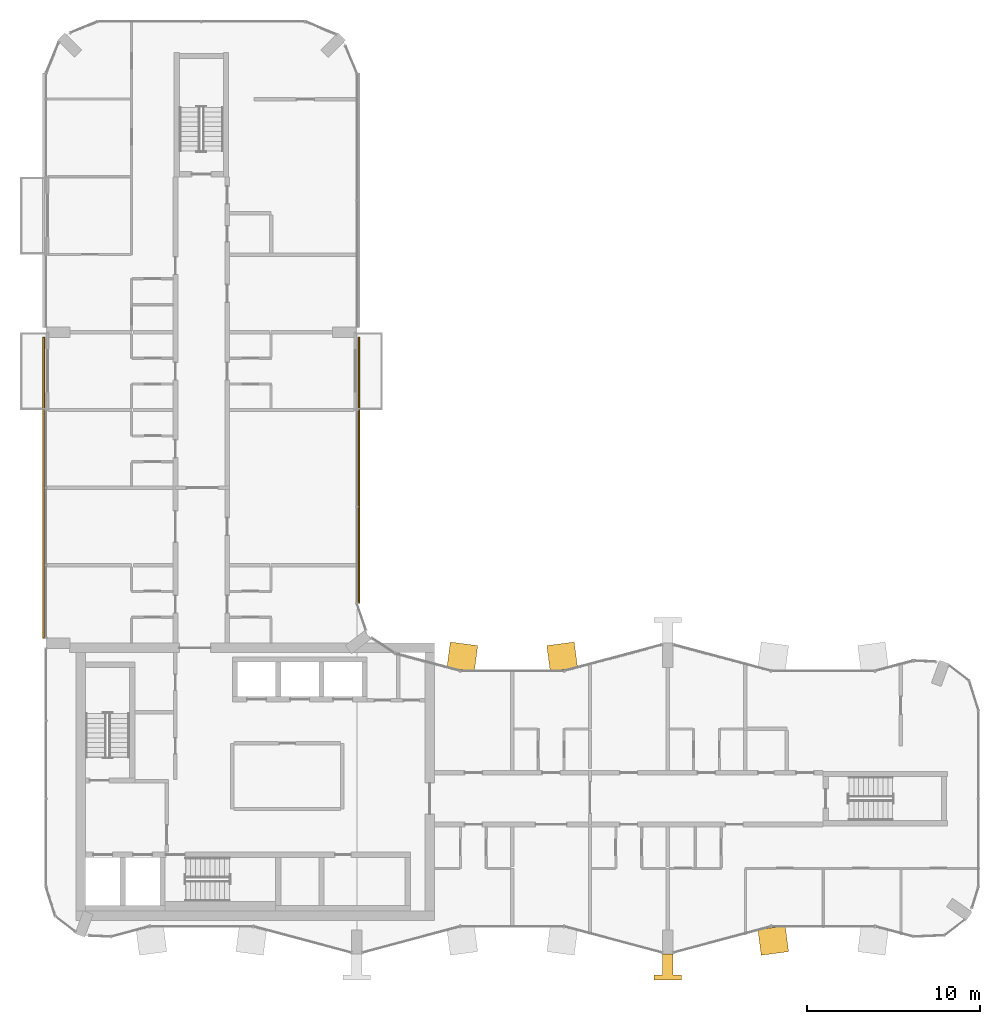
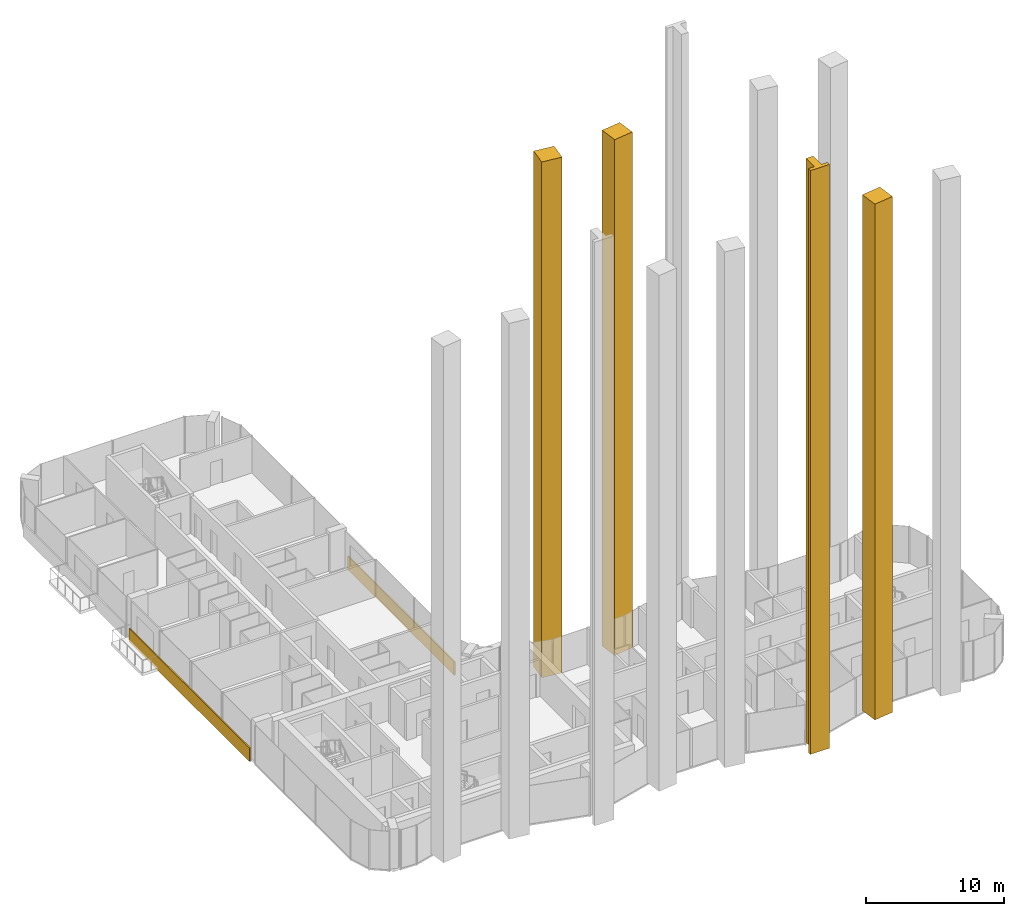
# One storey, part 15 of 17: 6 coverings.
"""IFC4 building model written with IfcOpenShell, lengths in metres."""

import ifcopenshell
import ifcopenshell.guid

model = None  # the IFC model being written
_history = None  # IfcOwnerHistory: only IFC2X3 demands one
_inside = {}  # id of a spatial element -> (the spatial element, [elements in it])
_under = {}  # id of a project, library or spatial element -> (it, [spatial elements below it])
_declared = {}  # id of a project -> (the project, [libraries it declares])
_typed = {}  # id of a type object -> (the type object, [elements of that type])
_made_of = {}  # id of a material, layer set ... -> (it, [elements and type objects made of it])


def new_model(schema):
    """Start an empty IFC model of exactly this schema.

    Asked for "IFC4X3", IfcOpenShell would pick the latest addendum, in which some entities
    have other attributes; the version numbers below select the first issue.
    IFC2X3 requires an IfcOwnerHistory on every rooted entity: one is made here for all.
    """
    global model, _history
    if schema == "IFC4X3":
        model = ifcopenshell.file(schema_version=(4, 3, 0, 0))
    else:
        model = ifcopenshell.file(schema=schema)
    _inside.clear()
    _under.clear()
    _declared.clear()
    _typed.clear()
    _made_of.clear()
    _history = None
    if model.schema == "IFC2X3":
        org = make("IfcOrganization", Name="unknown")
        user = make(
            "IfcPersonAndOrganization",
            ThePerson=make("IfcPerson", FamilyName="unknown"),
            TheOrganization=org,
        )
        app = make(
            "IfcApplication",
            ApplicationDeveloper=org,
            Version="unknown",
            ApplicationFullName="unknown",
            ApplicationIdentifier="unknown",
        )
        _history = make(
            "IfcOwnerHistory",
            OwningUser=user,
            OwningApplication=app,
            ChangeAction="ADDED",
            CreationDate=0,
        )
    return model


def make(cls, **values):
    """One entity of the class cls with the attributes given. An attribute that is None is left unset."""
    return model.create_entity(
        cls, **{name: value for name, value in values.items() if value is not None}
    )


def rooted(cls, **values):
    """An entity with a GlobalId (a new one), such as an element, a storey or a relation."""
    return make(cls, GlobalId=ifcopenshell.guid.new(), OwnerHistory=_history, **values)


def si_unit(unit_type, name, prefix=None):
    """IfcSIUnit, for example si_unit("LENGTHUNIT", "METRE", prefix="MILLI")."""
    return make("IfcSIUnit", UnitType=unit_type, Prefix=prefix, Name=name)


def assignment(units):
    """IfcUnitAssignment: the units of a project."""
    return None if units is None else make("IfcUnitAssignment", Units=units)


def point(xyz):
    """IfcCartesianPoint."""
    return None if xyz is None else make("IfcCartesianPoint", Coordinates=xyz)


def direction(xyz):
    """IfcDirection."""
    return None if xyz is None else make("IfcDirection", DirectionRatios=xyz)


def frame(location, z_axis=None, x_axis=None):
    """IfcAxis2Placement3D, a coordinate frame: its origin and axes. An axis left out is left unset."""
    return make(
        "IfcAxis2Placement3D",
        Location=point(location),
        Axis=direction(z_axis),
        RefDirection=direction(x_axis),
    )


def frame_2d(location, x_axis=None):
    """IfcAxis2Placement2D, a coordinate frame in the plane: its origin and x axis."""
    return make(
        "IfcAxis2Placement2D", Location=point(location), RefDirection=direction(x_axis)
    )


def origin():
    """The frame at (0, 0, 0) with its axes left unset."""
    return frame((0.0, 0.0, 0.0))


def origin_2d():
    """The frame at (0, 0) in the plane with its x axis left unset."""
    return frame_2d((0.0, 0.0))


def place(relative_to, where):
    """IfcLocalPlacement: puts the frame where relative to a parent placement (None: the world)."""
    return make(
        "IfcLocalPlacement", PlacementRelTo=relative_to, RelativePlacement=where
    )


def context(
    kind, dimensions, precision=None, world=None, true_north=None, identifier=None
):
    """IfcGeometricRepresentationContext, for example the 3D "Model" context."""
    return make(
        "IfcGeometricRepresentationContext",
        ContextIdentifier=identifier,
        ContextType=kind,
        CoordinateSpaceDimension=dimensions,
        Precision=precision,
        WorldCoordinateSystem=world,
        TrueNorth=true_north,
    )


def subcontext(parent, identifier, kind, view, scale=None):
    """IfcGeometricRepresentationSubContext, for example "Body" below "Model"."""
    return make(
        "IfcGeometricRepresentationSubContext",
        ContextIdentifier=identifier,
        ContextType=kind,
        ParentContext=parent,
        TargetScale=scale,
        TargetView=view,
    )


def project(units=None, contexts=None):
    """IfcProject with its units and contexts."""
    return rooted(
        "IfcProject",
        Name="project",
        RepresentationContexts=contexts,
        UnitsInContext=assignment(units),
    )


def spatial(cls, under=None, at=None, **own):
    """A site, building, storey or space (cls), placed at a placement, below another one or the project."""
    s = rooted(cls, ObjectPlacement=at, **own)
    if under is not None:
        _under.setdefault(under.id(), (under, []))[1].append(s)
    return s


def polyline(points):
    """IfcPolyline through the points."""
    return make("IfcPolyline", Points=[point(p) for p in points])


def profile(cls, at=None, kind="AREA", **sizes):
    """A parametric profile (cls). Its sizes go by their IFC names, for example OverallWidth=200.0."""
    return make(cls, ProfileType=kind, Position=at, **sizes)


def rectangle(**sizes):
    """IfcRectangleProfileDef."""
    return profile("IfcRectangleProfileDef", **sizes)


def outline(outer, holes=None, kind="AREA"):
    """IfcArbitraryClosedProfileDef: a profile drawn as a closed curve; with holes, ...WithVoids."""
    if holes is None:
        return make("IfcArbitraryClosedProfileDef", ProfileType=kind, OuterCurve=outer)
    return make(
        "IfcArbitraryProfileDefWithVoids",
        ProfileType=kind,
        OuterCurve=outer,
        InnerCurves=holes,
    )


def extrude(swept, where, along, depth):
    """IfcExtrudedAreaSolid: the profile swept, set in the frame where, extruded along a direction by depth."""
    return make(
        "IfcExtrudedAreaSolid",
        SweptArea=swept,
        Position=where,
        ExtrudedDirection=direction(along),
        Depth=depth,
    )


def shape(context_of_items, identifier, shape_type, items):
    """IfcShapeRepresentation: the items that make up one representation, for example the "Body"."""
    return make(
        "IfcShapeRepresentation",
        ContextOfItems=context_of_items,
        RepresentationIdentifier=identifier,
        RepresentationType=shape_type,
        Items=items,
    )


def material(Name=None, Category=None):
    """IfcMaterial."""
    return make("IfcMaterial", Name=Name, Category=Category)


def layer(
    of_material, thickness, ventilated=None, Name=None, Category=None, Priority=None
):
    """IfcMaterialLayer: one layer of a wall or slab, of a material (None: an air gap)."""
    return make(
        "IfcMaterialLayer",
        Material=of_material,
        LayerThickness=thickness,
        IsVentilated=ventilated,
        Name=Name,
        Category=Category,
        Priority=Priority,
    )


def layer_set(layers, Name=None):
    """IfcMaterialLayerSet."""
    return make("IfcMaterialLayerSet", MaterialLayers=layers, LayerSetName=Name)


def made_of(thing, what):
    """Note that an element or type object is made of a material, layer set ...; save() writes the relation."""
    if what is not None:
        _made_of.setdefault(what.id(), (what, []))[1].append(thing)
    return thing


def type_object(cls, material=None, **own):
    """A type object (cls), such as IfcWallType, which elements share."""
    return made_of(rooted(cls, **own), material)


def element(
    cls,
    number,
    at=None,
    inside=None,
    cuts=None,
    type_object=None,
    material=None,
    context=None,
    identifier="Body",
    shape_type=None,
    held_by="IfcProductDefinitionShape",
    body=None,
    shapes=None,
    **own,
):
    """One element of the class cls, such as IfcWall. Its Tag is "e" and its number.

    at: its placement. inside: the storey or other place that contains it. cuts: it is an
    opening in that element (IfcRelVoidsElement). A single representation is given by context,
    identifier, shape_type and body (its items); several are given by shapes. held_by: the class
    of the entity that holds the representations. save() writes the other relations.
    """
    e = rooted(cls, Tag="e%d" % number, ObjectPlacement=at, **own)
    if body is not None:
        shapes = [shape(context, identifier, shape_type, body)]
    if shapes is not None:
        e.Representation = make(held_by, Representations=shapes)
    if inside is not None:
        _inside.setdefault(inside.id(), (inside, []))[1].append(e)
    if cuts is not None:
        rooted(
            "IfcRelVoidsElement", RelatingBuildingElement=cuts, RelatedOpeningElement=e
        )
    if type_object is not None:
        _typed.setdefault(type_object.id(), (type_object, []))[1].append(e)
    return made_of(e, material)


def aggregate(whole, parts):
    """IfcRelAggregates: a whole, such as a stair, and the parts it consists of."""
    return rooted("IfcRelAggregates", RelatingObject=whole, RelatedObjects=parts)


def save(model, path):
    """Write the relations noted so far, then the file.

    IfcRelAggregates (storeys below a building ...), IfcRelContainedInSpatialStructure (elements
    in a storey), IfcRelDefinesByType, IfcRelAssociatesMaterial and IfcRelDeclares: one each for
    every whole, place, type object, material and project.
    """
    for whole, parts in _under.values():
        aggregate(whole, parts)
    for where, things in _inside.values():
        rooted(
            "IfcRelContainedInSpatialStructure",
            RelatedElements=things,
            RelatingStructure=where,
        )
    for kind, things in _typed.values():
        rooted("IfcRelDefinesByType", RelatedObjects=things, RelatingType=kind)
    for what, things in _made_of.values():
        rooted("IfcRelAssociatesMaterial", RelatedObjects=things, RelatingMaterial=what)
    for by, libraries in _declared.values():
        rooted("IfcRelDeclares", RelatingContext=by, RelatedDefinitions=libraries)
    model.write(path)


model = new_model("IFC4")

# Units and contexts
model_context = context("Model", 3, precision=1e-05, world=origin(), true_north=direction((0.0, 1.0)))
body_context = subcontext(model_context, "Body", "Model", "MODEL_VIEW")
ifc_project = project(units=[si_unit("LENGTHUNIT", "METRE"), si_unit("AREAUNIT", "SQUARE_METRE"), si_unit("VOLUMEUNIT", "CUBIC_METRE"), si_unit("PLANEANGLEUNIT", "RADIAN"), si_unit("MASSUNIT", "GRAM", prefix="KILO")], contexts=[model_context])

# Site, building, storey
site_placement = place(None, origin())
site = spatial("IfcSite", under=ifc_project, at=site_placement, CompositionType="ELEMENT")
building_placement = place(site_placement, origin())
building = spatial("IfcBuilding", under=site, at=building_placement, Name="Plateau Cross Towers", CompositionType="ELEMENT")
storey_placement = place(building_placement, frame((0.0, 0.0, 190.89990234375)))
storey = spatial("IfcBuildingStorey", under=building, at=storey_placement, Name="L49", CompositionType="ELEMENT", Elevation=190.89990234375)

# Coverings
ifc_material_1 = material(Name="Light precast concrete cladding C40/50", Category="concrete")
covering_type_1 = type_object("IfcCoveringType", Name="Flute pier cladding 1600x1500", PredefinedType="CLADDING", material=ifc_material_1)
covering_1_placement = place(storey_placement, origin())
element("IfcCovering", 1, at=covering_1_placement, inside=storey, type_object=covering_type_1, Name="Flute pier", PredefinedType="CLADDING", context=body_context, shape_type="SweptSolid", body=[
    extrude(outline(polyline([(30.7822265625, 16.580322265625), (29.19580078125, 16.37158203125), (29.000244140625, 17.85888671875), (30.58642578125, 18.067626953125), (30.7822265625, 16.580322265625)])), origin(), (0.0, 0.0, 1.0), 45.5),
])
covering_2_placement = place(storey_placement, origin())
element("IfcCovering", 2, at=covering_2_placement, inside=storey, type_object=covering_type_1, Name="Flute pier", PredefinedType="CLADDING", context=body_context, shape_type="SweptSolid", body=[
    extrude(outline(polyline([(24.80419921875, 16.37158203125), (23.2177734375, 16.580322265625), (23.41357421875, 18.067626953125), (24.999755859375, 17.85888671875), (24.80419921875, 16.37158203125)])), origin(), (0.0, 0.0, 1.0), 45.5),
])
covering_3_placement = place(storey_placement, origin())
element("IfcCovering", 3, at=covering_3_placement, inside=storey, type_object=covering_type_1, Name="Flute pier", PredefinedType="CLADDING", context=body_context, shape_type="SweptSolid", body=[
    extrude(outline(polyline([(41.2177734375, 1.419677734375), (42.80419921875, 1.62841796875), (42.999755859375, 0.14111328125), (41.41357421875, -0.067626953125), (41.2177734375, 1.419677734375)])), origin(), (0.0, 0.0, 1.0), 45.5),
])
covering_type_2 = type_object("IfcCoveringType", Name="Pier fin cladding 1600x1500", PredefinedType="CLADDING", material=ifc_material_1)
covering_4_placement = place(storey_placement, origin())
element("IfcCovering", 4, at=covering_4_placement, inside=storey, type_object=covering_type_2, Name="Pier fin PR2", PredefinedType="CLADDING", context=body_context, shape_type="SweptSolid", body=[
    extrude(outline(polyline([(35.699951171875, 0.0), (36.300048828125, 0.0), (36.300048828125, -1.199951171875), (36.800048828125, -1.199951171875), (36.800048828125, -1.5), (35.199951171875, -1.5), (35.199951171875, -1.199951171875), (35.699951171875, -1.199951171875), (35.699951171875, 0.0)])), origin(), (0.0, 0.0, 1.0), 51.5),
])
ifc_material_2 = material(Name="Precast concrete cladding C40/50", Category="concrete")
ifc_layer = layer(ifc_material_2, 0.10009765625)
ifc_layer_set = layer_set([ifc_layer], Name="Precast concrete cladding C40/50")
covering_type_3 = type_object("IfcCoveringType", Name="Spandrel band cladding 100x1200", PredefinedType="CLADDING", material=ifc_layer_set)
covering_5_placement = place(storey_placement, frame((18.1201171875, 28.001220703125, -0.25), z_axis=(0.0, 0.0, 1.0), x_axis=(0.0, 1.0, 0.0)))
element("IfcCovering", 5, at=covering_5_placement, inside=storey, type_object=covering_type_3, Name="Spandrel band", PredefinedType="CLADDING", context=body_context, shape_type="SweptSolid", body=[
    extrude(rectangle(XDim=15.397705078125, YDim=0.10009765625, at=origin_2d()), origin(), (0.0, 0.0, 1.0), 1.199951171875),
])
covering_6_placement = place(storey_placement, frame((-0.1201171875, 27.0, -0.25), z_axis=(0.0, 0.0, 1.0), x_axis=(0.0, -1.0, 0.0)))
element("IfcCovering", 6, at=covering_6_placement, inside=storey, type_object=covering_type_3, Name="Spandrel band", PredefinedType="CLADDING", context=body_context, shape_type="SweptSolid", body=[
    extrude(rectangle(XDim=17.39990234375, YDim=0.10009765625, at=origin_2d()), origin(), (0.0, 0.0, 1.0), 1.199951171875),
])

save(model, "model.ifc")
